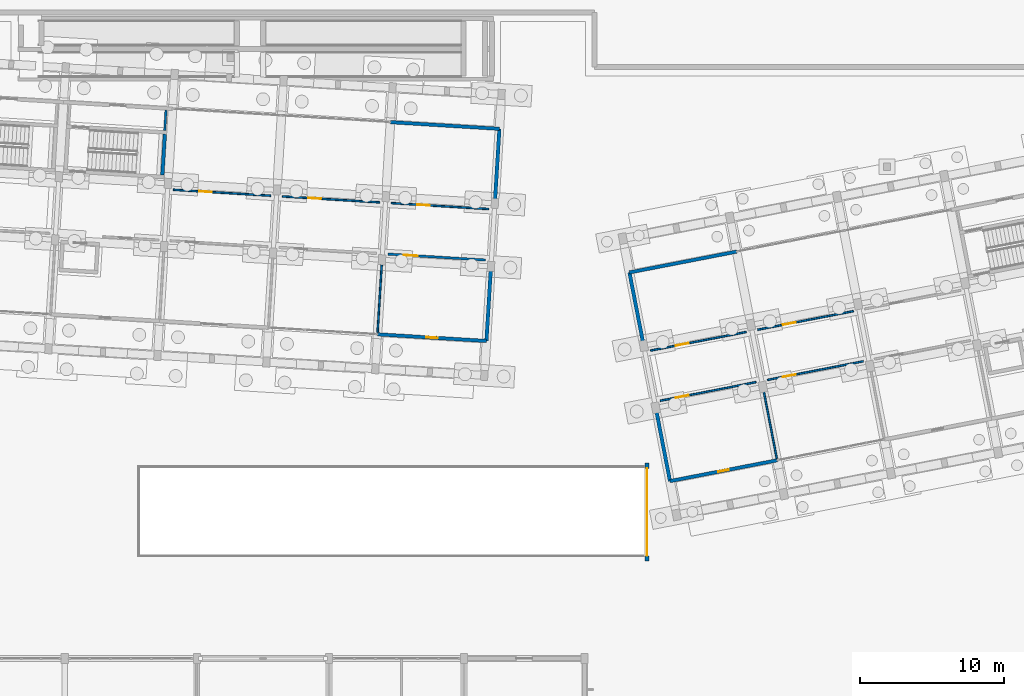
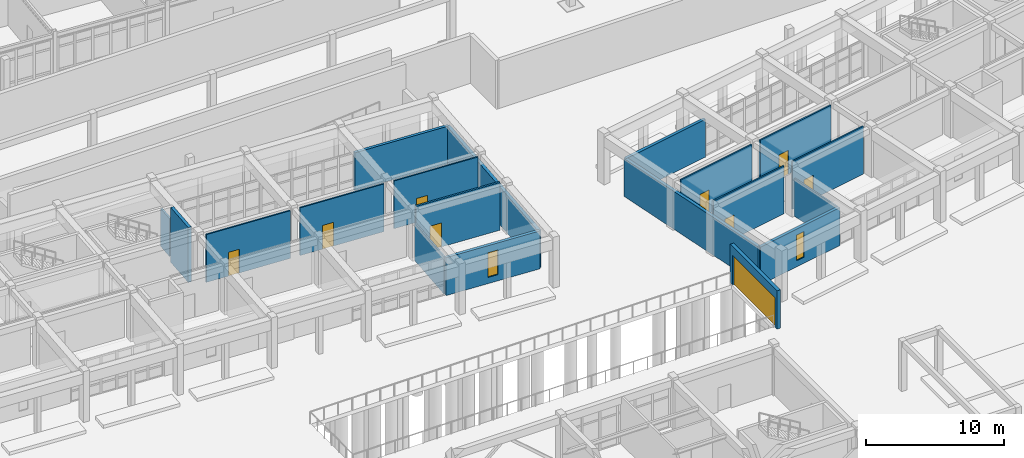
# One storey, part 122 of 154: 19 walls, 9 doors, 2 windows, 11 openings.
"""IFC4 building model written with IfcOpenShell, lengths in metres."""

from ifc_helpers import new_model, si_unit, direction, frame, frame_2d, origin, place, context, subcontext, project, spatial, rectangle, extrude, material, layer, layer_set, type_object, element, fill, save


model = new_model("IFC4")

# Units and contexts
model_context = context("Model", 3, precision=1e-05, world=origin(), true_north=direction((0.0, 1.0)))
body_context = subcontext(model_context, "Body", "Model", "MODEL_VIEW")
ifc_project = project(units=[si_unit("LENGTHUNIT", "METRE"), si_unit("AREAUNIT", "SQUARE_METRE"), si_unit("VOLUMEUNIT", "CUBIC_METRE"), si_unit("PLANEANGLEUNIT", "RADIAN"), si_unit("MASSUNIT", "GRAM", prefix="KILO")], contexts=[model_context])

# Site, building, storey
site_placement = place(None, origin())
site = spatial("IfcSite", under=ifc_project, at=site_placement, CompositionType="ELEMENT")
building_placement = place(site_placement, origin())
building = spatial("IfcBuilding", under=site, at=building_placement, Name="Kestramere Prow Commons", CompositionType="ELEMENT")
storey_placement = place(building_placement, origin())
storey = spatial("IfcBuildingStorey", under=building, at=storey_placement, Name="L00", CompositionType="ELEMENT", Elevation=0.0)

# Wall, opening, door
ifc_material_1 = material(Name="Precast concrete C40/50", Category="concrete")
ifc_layer_1 = layer(ifc_material_1, 0.280029296875)
ifc_layer_set_1 = layer_set([ifc_layer_1], Name="Precast concrete C40/50")
wall_type_1 = type_object("IfcWallType", Name="EW-CIVIC-280", PredefinedType="SOLIDWALL", material=ifc_layer_set_1)
wall_1_placement = place(storey_placement, frame((116.35009765625, 37.60009765625, 0.0), z_axis=(0.0, 0.0, 1.0), x_axis=(0.0, -1.0, 0.0)))
wall_1 = element("IfcWall", 1, at=wall_1_placement, inside=storey, type_object=wall_type_1, Name="Car Park Ramp R1 East Entry Portal Wall", PredefinedType="SOLIDWALL", context=body_context, shape_type="SweptSolid", body=[
    extrude(rectangle(XDim=6.800048828125, YDim=0.280029296875, at=frame_2d((3.39990234375, 0.0))), origin(), (0.0, 0.0, 1.0), 3.39990234375),
])
opening_1_placement = place(wall_1_placement, frame((0.35009765625, 0.0, 0.0)))
opening_1 = element("IfcOpeningElement", 2, at=opening_1_placement, cuts=wall_1, Name="Opening VG-01", PredefinedType="OPENING", context=body_context, shape_type="SweptSolid", body=[
    extrude(rectangle(XDim=6.10009765625, YDim=2.60009765625, at=frame_2d((3.050048828125, 1.300048828125))), frame((0.0, 0.155029296875, 0.0), z_axis=(0.0, -1.0, 0.0), x_axis=(1.0, 0.0, 0.0)), (0.0, 0.0, 1.0), 0.31005859375),
])
ifc_material_2 = material(Name="Galvanised Steel S275JR", Category="steel")
door_type_1 = type_object("IfcDoorType", Name="VG-CARPARK-5400", OperationType="ROLLINGUP", PredefinedType="DOOR", material=ifc_material_2)
door_1_placement = place(opening_1_placement, origin())
door_1 = element("IfcDoor", 3, at=door_1_placement, inside=storey, type_object=door_type_1, Name="Car Park Ramp R1 Security Roller Shutter", OperationType="ROLLINGUP", OverallHeight=2.60009765625, OverallWidth=6.10009765625, PredefinedType="DOOR", context=body_context, shape_type="SweptSolid", body=[
    extrude(rectangle(XDim=6.10009765625, YDim=2.60009765625, at=frame_2d((3.050048828125, 1.300048828125))), frame((0.0, 0.02490234375, 0.0), z_axis=(0.0, -1.0, 0.0), x_axis=(1.0, 0.0, 0.0)), (0.0, 0.0, 1.0), 0.050048828125),
])
fill(opening_1, door_1)

# Walls
ifc_material_3 = material(Name="Weathered Zinc-Titanium Standing-Seam Cladding")
ifc_layer_2 = layer(ifc_material_3, 0.260009765625)
ifc_layer_set_2 = layer_set([ifc_layer_2], Name="Weathered Zinc-Titanium Standing-Seam Cladding")
wall_type_2 = type_object("IfcWallType", Name="EW-PROW-260", PredefinedType="SOLIDWALL", material=ifc_layer_set_2)
wall_2_placement = place(storey_placement, frame((106.06494140625, 60.884033203125, 0.0), z_axis=(0.0, 0.0, 1.0), x_axis=(-0.06105237445, -0.998134563861, 0.0)))
element("IfcWall", 4, at=wall_2_placement, inside=storey, type_object=wall_type_2, Name="Block C L00 EAV Wall", PredefinedType="SOLIDWALL", context=body_context, shape_type="SweptSolid", body=[
    extrude(rectangle(XDim=14.7998046875, YDim=0.260009765625, at=frame_2d((7.39990234375, 0.0))), origin(), (0.0, 0.0, 1.0), 3.35009765625),
])
wall_3_placement = place(storey_placement, frame((117.942138671875, 36.35595703125, 0.0), z_axis=(0.0, 0.0, 1.0), x_axis=(-0.190809169338, 0.981627149633, 0.0)))
element("IfcWall", 5, at=wall_3_placement, inside=storey, type_object=wall_type_2, Name="Block D L00 EAV Wall", PredefinedType="SOLIDWALL", context=body_context, shape_type="SweptSolid", body=[
    extrude(rectangle(XDim=14.800048828125, YDim=0.260009765625, at=frame_2d((7.39990234375, 0.0))), origin(), (0.0, 0.0, 1.0), 3.35009765625),
])

# Wall, opening, window
ifc_material_4 = material(Name="Fluoropolymer Standing-Seam Zinc-Aluminium Cladding", Category="aluminium")
ifc_layer_3 = layer(ifc_material_4, 0.239990234375)
ifc_layer_set_3 = layer_set([ifc_layer_3], Name="Fluoropolymer Standing-Seam Zinc-Aluminium Cladding")
wall_type_3 = type_object("IfcWallType", Name="EW-SEAM-240", PredefinedType="SOLIDWALL", material=ifc_layer_set_3)
wall_4_placement = place(storey_placement, frame((105.161376953125, 46.11181640625, 0.0), z_axis=(0.0, 0.0, 1.0), x_axis=(-0.998135549572, 0.061036257095, 0.0)))
wall_4 = element("IfcWall", 6, at=wall_4_placement, inside=storey, type_object=wall_type_3, Name="Block C L00 South Recessed Wall 6", PredefinedType="SOLIDWALL", context=body_context, shape_type="SweptSolid", body=[
    extrude(rectangle(XDim=7.599853515625, YDim=0.239990234375, at=frame_2d((3.7998046875, 0.0))), origin(), (0.0, 0.0, 1.0), 3.35009765625),
])
opening_2_placement = place(wall_4_placement, frame((3.389892578125, 0.0, 0.550048828125)))
opening_2 = element("IfcOpeningElement", 7, at=opening_2_placement, cuts=wall_4, Name="Opening WN-13", PredefinedType="OPENING", context=body_context, shape_type="SweptSolid", body=[
    extrude(rectangle(XDim=0.820068359375, YDim=2.179931640625, at=frame_2d((0.41015625, 1.08984375))), frame((0.0, 0.135009765625, 0.0), z_axis=(0.0, -1.0, 0.0), x_axis=(1.0, 0.0, 0.0)), (0.0, 0.0, 1.0), 0.27001953125),
])
ifc_material_5 = material(Name="Low-E Laminated Double Glazing", Category="glass")
window_type_1 = type_object("IfcWindowType", Name="WN-NAR-820A", PartitioningType="DOUBLE_PANEL_VERTICAL", PredefinedType="WINDOW", material=ifc_material_5)
window_1_placement = place(opening_2_placement, origin())
window_1 = element("IfcWindow", 8, at=window_1_placement, inside=storey, type_object=window_type_1, Name="WN-C-L00-S-5", OverallHeight=2.179931640625, OverallWidth=0.820068359375, PartitioningType="SINGLE_PANEL", PredefinedType="WINDOW", context=body_context, shape_type="SweptSolid", body=[
    extrude(rectangle(XDim=0.820068359375, YDim=2.179931640625, at=frame_2d((0.41015625, 1.08984375))), frame((0.0, 0.030029296875, 0.0), z_axis=(0.0, -1.0, 0.0), x_axis=(1.0, 0.0, 0.0)), (0.0, 0.0, 1.0), 0.06005859375),
])
fill(opening_2, window_1)

# Wall
wall_5_placement = place(storey_placement, frame((98.479248046875, 61.34814453125, 0.0), z_axis=(0.0, 0.0, 1.0), x_axis=(0.998133591969, -0.061068261669, 0.0)))
element("IfcWall", 9, at=wall_5_placement, inside=storey, type_object=wall_type_3, Name="Block C L00 North Recessed Wall 6", PredefinedType="SOLIDWALL", context=body_context, shape_type="SweptSolid", body=[
    extrude(rectangle(XDim=7.599853515625, YDim=0.239990234375, at=frame_2d((3.7998046875, 0.0))), origin(), (0.0, 0.0, 1.0), 3.35009765625),
])

# Wall, opening, window
wall_6_placement = place(storey_placement, frame((125.40234375, 37.80615234375, 0.0), z_axis=(0.0, 0.0, 1.0), x_axis=(-0.981625252578, -0.19081892857, 0.0)))
wall_6 = element("IfcWall", 10, at=wall_6_placement, inside=storey, type_object=wall_type_3, Name="Block D L00 South Recessed Wall 1", PredefinedType="SOLIDWALL", context=body_context, shape_type="SweptSolid", body=[
    extrude(rectangle(XDim=7.599853515625, YDim=0.239990234375, at=frame_2d((3.7998046875, 0.0))), origin(), (0.0, 0.0, 1.0), 3.35009765625),
])
opening_3_placement = place(wall_6_placement, frame((3.429931640625, 0.0, 0.550048828125)))
opening_3 = element("IfcOpeningElement", 11, at=opening_3_placement, cuts=wall_6, Name="Opening WN-09", PredefinedType="OPENING", context=body_context, shape_type="SweptSolid", body=[
    extrude(rectangle(XDim=0.739990234375, YDim=2.260009765625, at=frame_2d((0.3701171875, 1.1298828125))), frame((0.0, 0.135009765625, 0.0), z_axis=(0.0, -1.0, 0.0), x_axis=(1.0, 0.0, 0.0)), (0.0, 0.0, 1.0), 0.27001953125),
])
window_type_2 = type_object("IfcWindowType", Name="WN-NAR-740A", PartitioningType="SINGLE_PANEL", PredefinedType="WINDOW", material=ifc_material_5)
window_2_placement = place(opening_3_placement, origin())
window_2 = element("IfcWindow", 12, at=window_2_placement, inside=storey, type_object=window_type_2, Name="WN-D-L00-S-0", OverallHeight=2.260009765625, OverallWidth=0.739990234375, PartitioningType="SINGLE_PANEL", PredefinedType="WINDOW", context=body_context, shape_type="SweptSolid", body=[
    extrude(rectangle(XDim=0.739990234375, YDim=2.260009765625, at=frame_2d((0.3701171875, 1.1298828125))), frame((0.0, 0.030029296875, 0.0), z_axis=(0.0, -1.0, 0.0), x_axis=(1.0, 0.0, 0.0)), (0.0, 0.0, 1.0), 0.06005859375),
])
fill(opening_3, window_2)

# Walls
wall_7_placement = place(storey_placement, frame((115.1181640625, 50.884033203125, 0.0), z_axis=(0.0, 0.0, 1.0), x_axis=(0.981625252578, 0.19081892857, 0.0)))
element("IfcWall", 13, at=wall_7_placement, inside=storey, type_object=wall_type_3, Name="Block D L00 North Recessed Wall 1", PredefinedType="SOLIDWALL", context=body_context, shape_type="SweptSolid", body=[
    extrude(rectangle(XDim=7.599853515625, YDim=0.239990234375, at=frame_2d((3.7998046875, 0.0))), origin(), (0.0, 0.0, 1.0), 3.35009765625),
])
ifc_material_6 = material(Name="Concrete C40/50", Category="concrete")
ifc_layer_4 = layer(ifc_material_6, 0.25)
ifc_layer_set_4 = layer_set([ifc_layer_4], Name="Concrete C40/50")
wall_type_4 = type_object("IfcWallType", Name="W-CORE-250", PredefinedType="SHEAR", material=ifc_layer_set_4)
wall_8_placement = place(storey_placement, frame((82.599365234375, 57.66064453125, -0.35009765625), z_axis=(0.0, 0.0, 1.0), x_axis=(0.06107697143, 0.998133059046, 0.0)))
element("IfcWall", 14, at=wall_8_placement, inside=storey, type_object=wall_type_4, Name="ST-C2 L00 Far Shaft Wall", PredefinedType="SHEAR", context=body_context, shape_type="SweptSolid", body=[
    extrude(rectangle(XDim=2.85009765625, YDim=0.25, at=frame_2d((1.425048828125, 0.0))), origin(), (0.0, 0.0, 1.0), 4.85009765625),
])
ifc_material_7 = material(Name="Fire-Rated Calcium Silicate Wall")
ifc_layer_5 = layer(ifc_material_7, 0.155029296875)
ifc_layer_set_5 = layer_set([ifc_layer_5], Name="Fire-Rated Calcium Silicate Wall")
wall_type_5 = type_object("IfcWallType", Name="W-FIRE-150", PredefinedType="PARTITIONING", material=ifc_layer_set_5)
wall_9_placement = place(storey_placement, frame((82.763916015625, 60.761474609375, 0.0), z_axis=(0.0, 0.0, 1.0), x_axis=(0.061211444687, 0.998124821372, 0.0)))
element("IfcWall", 15, at=wall_9_placement, inside=storey, type_object=wall_type_5, Name="ST-C2 Discharge Vestibule Wall E", PredefinedType="PARTITIONING", context=body_context, shape_type="SweptSolid", body=[
    extrude(rectangle(XDim=1.419921875, YDim=0.155029296875, at=frame_2d((0.7099609375, 0.0))), origin(), (0.0, 0.0, 1.0), 3.35009765625),
])
ifc_material_8 = material(Name="Lightweight Blockwork and Plaster", Category="masonry")
ifc_layer_6 = layer(ifc_material_8, 0.1201171875)
ifc_layer_set_6 = layer_set([ifc_layer_6], Name="Lightweight Blockwork and Plaster")
wall_type_6 = type_object("IfcWallType", Name="W-PART-120", PredefinedType="PARTITIONING", material=ifc_layer_set_6)
wall_10_placement = place(storey_placement, frame((97.58349609375, 46.705322265625, 0.0), z_axis=(0.0, 0.0, 1.0), x_axis=(0.061085977316, 0.998132507924, 0.0)))
element("IfcWall", 16, at=wall_10_placement, inside=storey, type_object=wall_type_6, Name="Interior Partition PW-C-L00-DVS-5", PredefinedType="PARTITIONING", context=body_context, shape_type="SweptSolid", body=[
    extrude(rectangle(XDim=4.739990234375, YDim=0.1201171875, at=frame_2d((2.3701171875, 0.0))), origin(), (0.0, 0.0, 1.0), 3.320068359375),
])

# Wall, opening, door
wall_11_placement = place(storey_placement, frame((83.36376953125, 56.64208984375, 0.0), z_axis=(0.0, 0.0, 1.0), x_axis=(0.998135500293, -0.061037062968, 0.0)))
wall_11 = element("IfcWall", 17, at=wall_11_placement, inside=storey, type_object=wall_type_6, Name="Interior Partition PW-C-L00-CN-3", PredefinedType="PARTITIONING", context=body_context, shape_type="SweptSolid", body=[
    extrude(rectangle(XDim=6.7998046875, YDim=0.1201171875, at=frame_2d((3.39990234375, 0.0))), origin(), (0.0, 0.0, 1.0), 4.219970703125),
])
opening_4_placement = place(wall_11_placement, frame((1.800048828125, 0.0, 0.0)))
opening_4 = element("IfcOpeningElement", 18, at=opening_4_placement, cuts=wall_11, Name="Opening ID-10", PredefinedType="OPENING", context=body_context, shape_type="SweptSolid", body=[
    extrude(rectangle(XDim=0.8798828125, YDim=2.10009765625, at=frame_2d((0.43994140625, 1.050048828125))), frame((0.0, 0.074951171875, 0.0), z_axis=(0.0, -1.0, 0.0), x_axis=(1.0, 0.0, 0.0)), (0.0, 0.0, 1.0), 0.150146484375),
])
ifc_material_9 = material(Name="Engineered Timber Bedroom Door", Category="wood")
door_type_2 = type_object("IfcDoorType", Name="D-RM-03", OperationType="NOTDEFINED", PredefinedType="DOOR", material=ifc_material_9)
door_2_placement = place(opening_4_placement, origin())
door_2 = element("IfcDoor", 19, at=door_2_placement, inside=storey, type_object=door_type_2, Name="Interior Door DR-C-L00-N-3", OperationType="SINGLE_SWING_RIGHT", OverallHeight=2.10009765625, OverallWidth=0.8798828125, PredefinedType="DOOR", context=body_context, shape_type="SweptSolid", body=[
    extrude(rectangle(XDim=0.8798828125, YDim=2.10009765625, at=frame_2d((0.43994140625, 1.050048828125))), frame((0.0, 0.02490234375, 0.0), z_axis=(0.0, -1.0, 0.0), x_axis=(1.0, 0.0, 0.0)), (0.0, 0.0, 1.0), 0.050048828125),
])
fill(opening_4, door_2)

wall_12_placement = place(storey_placement, frame((90.949462890625, 56.17822265625, 0.0), z_axis=(0.0, 0.0, 1.0), x_axis=(0.998133446169, -0.061070644651, 0.0)))
wall_12 = element("IfcWall", 20, at=wall_12_placement, inside=storey, type_object=wall_type_6, Name="Interior Partition PW-C-L00-CN-4", PredefinedType="PARTITIONING", context=body_context, shape_type="SweptSolid", body=[
    extrude(rectangle(XDim=6.800048828125, YDim=0.1201171875, at=frame_2d((3.39990234375, 0.0))), origin(), (0.0, 0.0, 1.0), 4.219970703125),
])
opening_5_placement = place(wall_12_placement, frame((1.800048828125, 0.0, 0.0)))
opening_5 = element("IfcOpeningElement", 21, at=opening_5_placement, cuts=wall_12, Name="Opening ID-08", PredefinedType="OPENING", context=body_context, shape_type="SweptSolid", body=[
    extrude(rectangle(XDim=0.89990234375, YDim=2.10009765625, at=frame_2d((0.449951171875, 1.050048828125))), frame((0.0, 0.074951171875, 0.0), z_axis=(0.0, -1.0, 0.0), x_axis=(1.0, 0.0, 0.0)), (0.0, 0.0, 1.0), 0.150146484375),
])
ifc_material_10 = material(Name="Engineered Timber Flush Door", Category="wood")
door_type_3 = type_object("IfcDoorType", Name="D-RM-01", OperationType="NOTDEFINED", PredefinedType="DOOR", material=ifc_material_10)
door_3_placement = place(opening_5_placement, origin())
door_3 = element("IfcDoor", 22, at=door_3_placement, inside=storey, type_object=door_type_3, Name="Interior Door DR-C-L00-N-4", OperationType="SINGLE_SWING_LEFT", OverallHeight=2.10009765625, OverallWidth=0.89990234375, PredefinedType="DOOR", context=body_context, shape_type="SweptSolid", body=[
    extrude(rectangle(XDim=0.89990234375, YDim=2.10009765625, at=frame_2d((0.449951171875, 1.050048828125))), frame((0.0, 0.02490234375, 0.0), z_axis=(0.0, -1.0, 0.0), x_axis=(1.0, 0.0, 0.0)), (0.0, 0.0, 1.0), 0.050048828125),
])
fill(opening_5, door_3)

wall_13_placement = place(storey_placement, frame((98.535400390625, 55.714111328125, 0.0), z_axis=(0.0, 0.0, 1.0), x_axis=(0.998135634047, -0.061034875648, 0.0)))
wall_13 = element("IfcWall", 23, at=wall_13_placement, inside=storey, type_object=wall_type_6, Name="Interior Partition PW-C-L00-CN-5", PredefinedType="PARTITIONING", context=body_context, shape_type="SweptSolid", body=[
    extrude(rectangle(XDim=6.800048828125, YDim=0.1201171875, at=frame_2d((3.39990234375, 0.0))), origin(), (0.0, 0.0, 1.0), 4.219970703125),
])
opening_6_placement = place(wall_13_placement, frame((1.800048828125, 0.0, 0.0)))
opening_6 = element("IfcOpeningElement", 24, at=opening_6_placement, cuts=wall_13, Name="Opening ID-08", PredefinedType="OPENING", context=body_context, shape_type="SweptSolid", body=[
    extrude(rectangle(XDim=0.89990234375, YDim=2.10009765625, at=frame_2d((0.449951171875, 1.050048828125))), frame((0.0, 0.074951171875, 0.0), z_axis=(0.0, -1.0, 0.0), x_axis=(1.0, 0.0, 0.0)), (0.0, 0.0, 1.0), 0.150146484375),
])
door_4_placement = place(opening_6_placement, origin())
door_4 = element("IfcDoor", 25, at=door_4_placement, inside=storey, type_object=door_type_3, Name="Interior Door DR-C-L00-N-5", OperationType="SINGLE_SWING_RIGHT", OverallHeight=2.10009765625, OverallWidth=0.89990234375, PredefinedType="DOOR", context=body_context, shape_type="SweptSolid", body=[
    extrude(rectangle(XDim=0.89990234375, YDim=2.10009765625, at=frame_2d((0.449951171875, 1.050048828125))), frame((0.0, 0.02490234375, 0.0), z_axis=(0.0, -1.0, 0.0), x_axis=(1.0, 0.0, 0.0)), (0.0, 0.0, 1.0), 0.050048828125),
])
fill(opening_6, door_4)

wall_14_placement = place(storey_placement, frame((117.262451171875, 41.948974609375, 0.0), z_axis=(0.0, 0.0, 1.0), x_axis=(0.981624170853, 0.190824493182, 0.0)))
wall_14 = element("IfcWall", 26, at=wall_14_placement, inside=storey, type_object=wall_type_6, Name="Interior Partition PW-D-L00-CS-0", PredefinedType="PARTITIONING", context=body_context, shape_type="SweptSolid", body=[
    extrude(rectangle(XDim=6.800048828125, YDim=0.1201171875, at=frame_2d((3.39990234375, 0.0))), origin(), (0.0, 0.0, 1.0), 4.219970703125),
])
opening_7_placement = place(wall_14_placement, frame((1.10009765625, 0.0, 0.0)))
opening_7 = element("IfcOpeningElement", 27, at=opening_7_placement, cuts=wall_14, Name="Opening ID-08", PredefinedType="OPENING", context=body_context, shape_type="SweptSolid", body=[
    extrude(rectangle(XDim=0.89990234375, YDim=2.10009765625, at=frame_2d((0.449951171875, 1.050048828125))), frame((0.0, 0.074951171875, 0.0), z_axis=(0.0, -1.0, 0.0), x_axis=(1.0, 0.0, 0.0)), (0.0, 0.0, 1.0), 0.150146484375),
])
door_5_placement = place(opening_7_placement, origin())
door_5 = element("IfcDoor", 28, at=door_5_placement, inside=storey, type_object=door_type_3, Name="Interior Door DR-D-L00-S-0", OperationType="SINGLE_SWING_LEFT", OverallHeight=2.10009765625, OverallWidth=0.89990234375, PredefinedType="DOOR", context=body_context, shape_type="SweptSolid", body=[
    extrude(rectangle(XDim=0.89990234375, YDim=2.10009765625, at=frame_2d((0.449951171875, 1.050048828125))), frame((0.0, 0.02490234375, 0.0), z_axis=(0.0, -1.0, 0.0), x_axis=(1.0, 0.0, 0.0)), (0.0, 0.0, 1.0), 0.050048828125),
])
fill(opening_7, door_5)

wall_15_placement = place(storey_placement, frame((124.72265625, 43.399169921875, 0.0), z_axis=(0.0, 0.0, 1.0), x_axis=(0.981630895566, 0.190789897189, 0.0)))
wall_15 = element("IfcWall", 29, at=wall_15_placement, inside=storey, type_object=wall_type_6, Name="Interior Partition PW-D-L00-CS-1", PredefinedType="PARTITIONING", context=body_context, shape_type="SweptSolid", body=[
    extrude(rectangle(XDim=6.800048828125, YDim=0.1201171875, at=frame_2d((3.39990234375, 0.0))), origin(), (0.0, 0.0, 1.0), 4.219970703125),
])
opening_8_placement = place(wall_15_placement, frame((1.10009765625, 0.0, 0.0)))
opening_8 = element("IfcOpeningElement", 30, at=opening_8_placement, cuts=wall_15, Name="Opening ID-08", PredefinedType="OPENING", context=body_context, shape_type="SweptSolid", body=[
    extrude(rectangle(XDim=0.89990234375, YDim=2.10009765625, at=frame_2d((0.449951171875, 1.050048828125))), frame((0.0, 0.074951171875, 0.0), z_axis=(0.0, -1.0, 0.0), x_axis=(1.0, 0.0, 0.0)), (0.0, 0.0, 1.0), 0.150146484375),
])
door_6_placement = place(opening_8_placement, origin())
door_6 = element("IfcDoor", 31, at=door_6_placement, inside=storey, type_object=door_type_3, Name="Interior Door DR-D-L00-S-1", OperationType="SINGLE_SWING_RIGHT", OverallHeight=2.10009765625, OverallWidth=0.89990234375, PredefinedType="DOOR", context=body_context, shape_type="SweptSolid", body=[
    extrude(rectangle(XDim=0.89990234375, YDim=2.10009765625, at=frame_2d((0.449951171875, 1.050048828125))), frame((0.0, 0.02490234375, 0.0), z_axis=(0.0, -1.0, 0.0), x_axis=(1.0, 0.0, 0.0)), (0.0, 0.0, 1.0), 0.050048828125),
])
fill(opening_8, door_6)

# Wall
wall_16_placement = place(storey_placement, frame((125.377685546875, 37.93359375, 0.0), z_axis=(0.0, 0.0, 1.0), x_axis=(-0.190824166448, 0.981624234368, 0.0)))
element("IfcWall", 32, at=wall_16_placement, inside=storey, type_object=wall_type_6, Name="Interior Partition PW-D-L00-DVS-1", PredefinedType="PARTITIONING", context=body_context, shape_type="SweptSolid", body=[
    extrude(rectangle(XDim=4.740234375, YDim=0.1201171875, at=frame_2d((2.3701171875, 0.0))), origin(), (0.0, 0.0, 1.0), 3.320068359375),
])

# Wall, opening, door
wall_17_placement = place(storey_placement, frame((116.5830078125, 45.443603515625, 0.0), z_axis=(0.0, 0.0, 1.0), x_axis=(0.981630895566, 0.190789897189, 0.0)))
wall_17 = element("IfcWall", 33, at=wall_17_placement, inside=storey, type_object=wall_type_6, Name="Interior Partition PW-D-L00-CN-0", PredefinedType="PARTITIONING", context=body_context, shape_type="SweptSolid", body=[
    extrude(rectangle(XDim=6.800048828125, YDim=0.1201171875, at=frame_2d((3.39990234375, 0.0))), origin(), (0.0, 0.0, 1.0), 4.219970703125),
])
opening_9_placement = place(wall_17_placement, frame((1.800048828125, 0.0, 0.0)))
opening_9 = element("IfcOpeningElement", 34, at=opening_9_placement, cuts=wall_17, Name="Opening ID-08", PredefinedType="OPENING", context=body_context, shape_type="SweptSolid", body=[
    extrude(rectangle(XDim=0.89990234375, YDim=2.10009765625, at=frame_2d((0.449951171875, 1.050048828125))), frame((0.0, 0.074951171875, 0.0), z_axis=(0.0, -1.0, 0.0), x_axis=(1.0, 0.0, 0.0)), (0.0, 0.0, 1.0), 0.150146484375),
])
door_7_placement = place(opening_9_placement, origin())
door_7 = element("IfcDoor", 35, at=door_7_placement, inside=storey, type_object=door_type_3, Name="Interior Door DR-D-L00-N-0", OperationType="SINGLE_SWING_RIGHT", OverallHeight=2.10009765625, OverallWidth=0.89990234375, PredefinedType="DOOR", context=body_context, shape_type="SweptSolid", body=[
    extrude(rectangle(XDim=0.89990234375, YDim=2.10009765625, at=frame_2d((0.449951171875, 1.050048828125))), frame((0.0, 0.02490234375, 0.0), z_axis=(0.0, -1.0, 0.0), x_axis=(1.0, 0.0, 0.0)), (0.0, 0.0, 1.0), 0.050048828125),
])
fill(opening_9, door_7)

wall_18_placement = place(storey_placement, frame((124.04345703125, 46.893798828125, 0.0), z_axis=(0.0, 0.0, 1.0), x_axis=(0.981630895566, 0.190789897189, 0.0)))
wall_18 = element("IfcWall", 36, at=wall_18_placement, inside=storey, type_object=wall_type_6, Name="Interior Partition PW-D-L00-CN-1", PredefinedType="PARTITIONING", context=body_context, shape_type="SweptSolid", body=[
    extrude(rectangle(XDim=6.800048828125, YDim=0.1201171875, at=frame_2d((3.39990234375, 0.0))), origin(), (0.0, 0.0, 1.0), 4.219970703125),
])
opening_10_placement = place(wall_18_placement, frame((1.800048828125, 0.0, 0.0)))
opening_10 = element("IfcOpeningElement", 37, at=opening_10_placement, cuts=wall_18, Name="Opening ID-08", PredefinedType="OPENING", context=body_context, shape_type="SweptSolid", body=[
    extrude(rectangle(XDim=0.89990234375, YDim=2.10009765625, at=frame_2d((0.449951171875, 1.050048828125))), frame((0.0, 0.074951171875, 0.0), z_axis=(0.0, -1.0, 0.0), x_axis=(1.0, 0.0, 0.0)), (0.0, 0.0, 1.0), 0.150146484375),
])
door_8_placement = place(opening_10_placement, origin())
door_8 = element("IfcDoor", 38, at=door_8_placement, inside=storey, type_object=door_type_3, Name="Interior Door DR-D-L00-N-1", OperationType="SINGLE_SWING_LEFT", OverallHeight=2.10009765625, OverallWidth=0.89990234375, PredefinedType="DOOR", context=body_context, shape_type="SweptSolid", body=[
    extrude(rectangle(XDim=0.89990234375, YDim=2.10009765625, at=frame_2d((0.449951171875, 1.050048828125))), frame((0.0, 0.02490234375, 0.0), z_axis=(0.0, -1.0, 0.0), x_axis=(1.0, 0.0, 0.0)), (0.0, 0.0, 1.0), 0.050048828125),
])
fill(opening_10, door_8)

ifc_material_11 = material(Name="Waterproof Sanitary Masonry Wall", Category="masonry")
ifc_layer_7 = layer(ifc_material_11, 0.1650390625)
ifc_layer_set_7 = layer_set([ifc_layer_7], Name="Waterproof Sanitary Masonry Wall")
wall_type_7 = type_object("IfcWallType", Name="W-PLUMB-150", PredefinedType="PLUMBINGWALL", material=ifc_layer_set_7)
wall_19_placement = place(storey_placement, frame((98.31787109375, 52.160888671875, 0.0), z_axis=(0.0, 0.0, 1.0), x_axis=(0.998133446169, -0.061070644651, 0.0)))
wall_19 = element("IfcWall", 39, at=wall_19_placement, inside=storey, type_object=wall_type_7, Name="Interior Partition PW-C-L00-CS-5", PredefinedType="PLUMBINGWALL", context=body_context, shape_type="SweptSolid", body=[
    extrude(rectangle(XDim=6.800048828125, YDim=0.1650390625, at=frame_2d((3.39990234375, 0.0))), origin(), (0.0, 0.0, 1.0), 4.219970703125),
])
opening_11_placement = place(wall_19_placement, frame((1.10009765625, 0.0, 0.0)))
opening_11 = element("IfcOpeningElement", 40, at=opening_11_placement, cuts=wall_19, Name="Opening ID-13", PredefinedType="OPENING", context=body_context, shape_type="SweptSolid", body=[
    extrude(rectangle(XDim=0.9599609375, YDim=2.1201171875, at=frame_2d((0.47998046875, 1.06005859375))), frame((0.0, 0.097412109375, 0.0), z_axis=(0.0, -1.0, 0.0), x_axis=(1.0, 0.0, 0.0)), (0.0, 0.0, 1.0), 0.195068359375),
])
ifc_material_12 = material(Name="Accessible Wide-Leaf Timber Door", Category="wood")
door_type_4 = type_object("IfcDoorType", Name="D-ACC-01", OperationType="NOTDEFINED", PredefinedType="DOOR", material=ifc_material_12)
door_9_placement = place(opening_11_placement, origin())
door_9 = element("IfcDoor", 41, at=door_9_placement, inside=storey, type_object=door_type_4, Name="Interior Door DR-C-L00-S-5", OperationType="SINGLE_SWING_RIGHT", OverallHeight=2.1201171875, OverallWidth=0.9599609375, PredefinedType="DOOR", context=body_context, shape_type="SweptSolid", body=[
    extrude(rectangle(XDim=0.9599609375, YDim=2.1201171875, at=frame_2d((0.47998046875, 1.06005859375))), frame((0.0, 0.02490234375, 0.0), z_axis=(0.0, -1.0, 0.0), x_axis=(1.0, 0.0, 0.0)), (0.0, 0.0, 1.0), 0.050048828125),
])
fill(opening_11, door_9)

save(model, "model.ifc")
